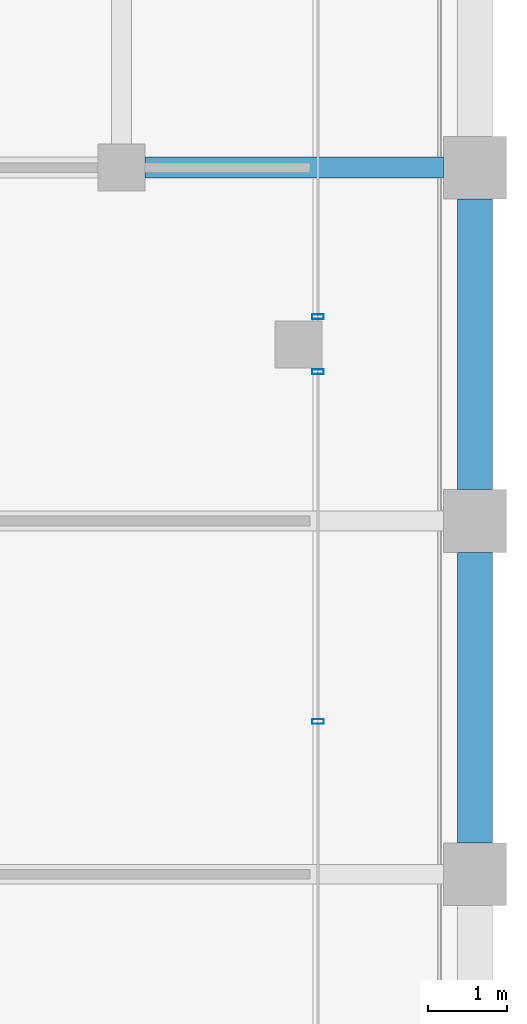
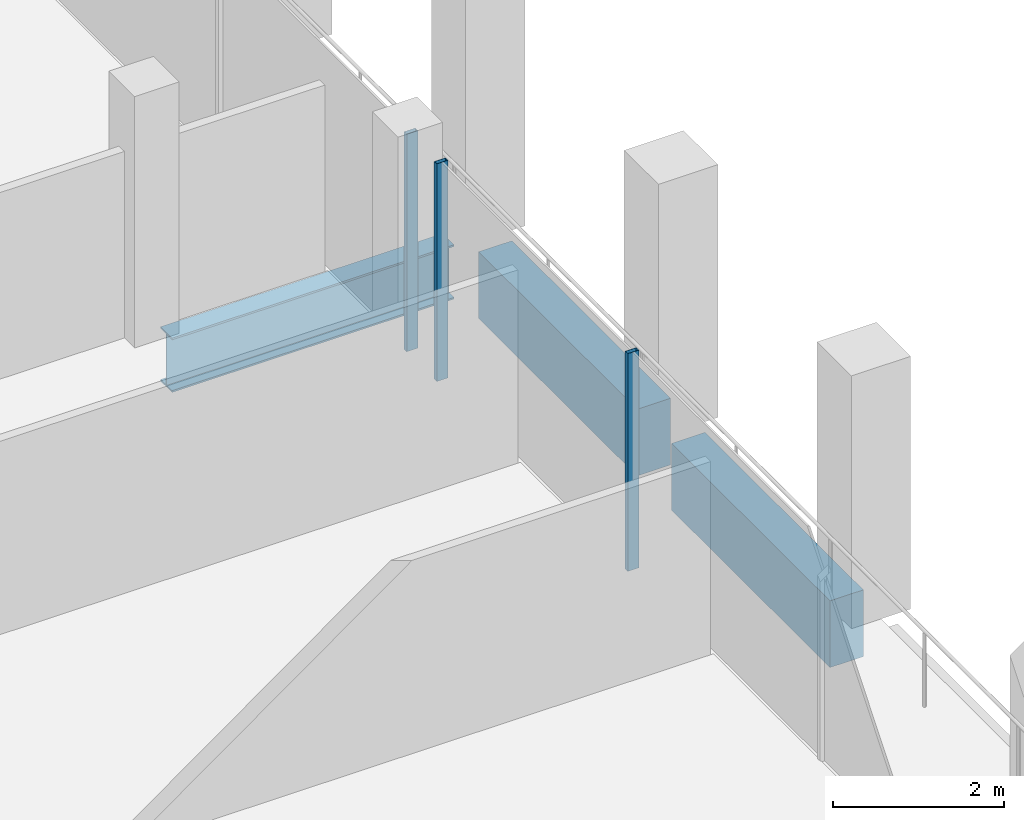
# One storey, part 19 of 30: 3 beams, 3 members, 2 elements without a shape of their own.
"""IFC4 building model written with IfcOpenShell, lengths in metres."""

from ifc_helpers import new_model, si_unit, direction, frame, origin, origin_2d, place, context, subcontext, project, spatial, rectangle, hollow_rectangle, i_section, extrude, material, material_profile, profile_set, type_object, element, aggregate, save


model = new_model("IFC4")

# Units and contexts
model_context = context("Model", 3, precision=1e-05, world=origin(), true_north=direction((0.0, 1.0)))
body_context = subcontext(model_context, "Body", "Model", "MODEL_VIEW")
ifc_project = project(units=[si_unit("LENGTHUNIT", "METRE"), si_unit("AREAUNIT", "SQUARE_METRE"), si_unit("VOLUMEUNIT", "CUBIC_METRE"), si_unit("PLANEANGLEUNIT", "RADIAN"), si_unit("MASSUNIT", "GRAM", prefix="KILO")], contexts=[model_context])

# Site, building, storey
site_placement = place(None, origin())
site = spatial("IfcSite", under=ifc_project, at=site_placement, CompositionType="ELEMENT")
building_placement = place(site_placement, origin())
building = spatial("IfcBuilding", under=site, at=building_placement, Name="Altepetl Exchange Towers", CompositionType="ELEMENT")
storey_placement = place(building_placement, frame((0.0, 0.0, 213.60009765625)))
storey = spatial("IfcBuildingStorey", under=building, at=storey_placement, Name="L54", CompositionType="ELEMENT", Elevation=213.60009765625)

# Beam
ifc_material_1 = material(Name="Steel S355", Category="steel")
ifc_material_profile_1 = material_profile(ifc_material_1, i_section(OverallWidth=0.26806640625, OverallDepth=0.77392578125, WebThickness=0.015380859375, FlangeThickness=0.025390625, at=origin_2d()), Name="W30X132")
ifc_profile_set_1 = profile_set([ifc_material_profile_1], Name="Steel S355")
beam_type_1 = type_object("IfcBeamType", Name="Girder W30X132", PredefinedType="BEAM", material=ifc_profile_set_1)
beam_placement = place(storey_placement, frame((67.800048828125, 58.5, -0.537109375), z_axis=(1.0, 0.0, 0.0), x_axis=(0.0, 1.0, 0.0)))
element("IfcBeam", 1, at=beam_placement, inside=storey, type_object=beam_type_1, Name="gd:A:L54:002", PredefinedType="BEAM", context=body_context, shape_type="SweptSolid", body=[
    extrude(i_section(OverallWidth=0.26806640625, OverallDepth=0.77392578125, WebThickness=0.015380859375, FlangeThickness=0.025390625, at=origin_2d()), origin(), (0.0, 0.0, 1.0), 3.800048828125),
])

# Curtain wall, members
ifc_material_2 = material(Name="Aluminium 6063-T6 glazing", Category="aluminium")
curtain_wall_type = type_object("IfcCurtainWallType", Name="Loggia glazing system", PredefinedType="NOTDEFINED", material=ifc_material_2)
curtain_wall_1_placement = place(storey_placement, origin())
curtain_wall_1 = element("IfcCurtainWall", 2, at=curtain_wall_1_placement, inside=storey, type_object=curtain_wall_type, Name="CW1 run", PredefinedType="NOTDEFINED")
ifc_material_3 = material(Name="Aluminium 6063-T6", Category="aluminium")
ifc_material_profile_2 = material_profile(ifc_material_3, hollow_rectangle(XDim=0.06005859375, YDim=0.14990234375, WallThickness=0.0029296875, at=origin_2d()), Name="Mullion 60x150 aluminium")
ifc_profile_set_2 = profile_set([ifc_material_profile_2], Name="Aluminium 6063-T6")
member_type = type_object("IfcMemberType", Name="Mullion 60x150 aluminium", PredefinedType="MULLION", material=ifc_profile_set_2)
member_1_placement = place(storey_placement, frame((70.0, 51.444091796875, 0.0), z_axis=(0.0, 0.0, 1.0), x_axis=(0.0, 1.0, 0.0)))
member_1 = element("IfcMember", 3, at=member_1_placement, type_object=member_type, Name="MU1 mullion", PredefinedType="MULLION", context=body_context, shape_type="SweptSolid", body=[
    extrude(hollow_rectangle(XDim=0.06005859375, YDim=0.14990234375, WallThickness=0.0029296875, at=origin_2d()), origin(), (0.0, 0.0, 1.0), 3.099853515625),
])
member_2_placement = place(storey_placement, frame((70.0, 55.89990234375, 0.0), z_axis=(0.0, 0.0, 1.0), x_axis=(0.0, 1.0, 0.0)))
member_2 = element("IfcMember", 4, at=member_2_placement, type_object=member_type, Name="MU1 mullion", PredefinedType="MULLION", context=body_context, shape_type="SweptSolid", body=[
    extrude(hollow_rectangle(XDim=0.06005859375, YDim=0.14990234375, WallThickness=0.0029296875, at=origin_2d()), origin(), (0.0, 0.0, 1.0), 3.099853515625),
])
aggregate(curtain_wall_1, [member_1, member_2])

# Curtain wall, member
curtain_wall_2_placement = place(storey_placement, origin())
curtain_wall_2 = element("IfcCurtainWall", 5, at=curtain_wall_2_placement, inside=storey, type_object=curtain_wall_type, Name="CW1 run", PredefinedType="NOTDEFINED")
member_3_placement = place(storey_placement, frame((70.0, 56.60009765625, 0.0), z_axis=(0.0, 0.0, 1.0), x_axis=(0.0, 1.0, 0.0)))
member_3 = element("IfcMember", 6, at=member_3_placement, type_object=member_type, Name="MU1 mullion", PredefinedType="MULLION", context=body_context, shape_type="SweptSolid", body=[
    extrude(hollow_rectangle(XDim=0.06005859375, YDim=0.14990234375, WallThickness=0.0029296875, at=origin_2d()), origin(), (0.0, 0.0, 1.0), 3.099853515625),
])
aggregate(curtain_wall_2, [member_3])

# Beams
ifc_material_4 = material(Name="Concrete C50/60 precast with cantera amarilla facing", Category="concrete")
ifc_material_profile_3 = material_profile(ifc_material_4, rectangle(XDim=0.449951171875, YDim=0.949951171875, at=origin_2d()), Name="450 x 950")
ifc_profile_set_3 = profile_set([ifc_material_profile_3], Name="Concrete C50/60 precast with cantera amarilla facing")
beam_type_2 = type_object("IfcBeamType", Name="Spandrel beam 450x950 cantera amarilla", PredefinedType="SPANDREL", material=ifc_profile_set_3)
for number, where, z_axis, x_axis, name in (
    (7, (72.0, 49.89990234375, -0.625), (0.0, 1.0, 0.0), (-1.0, 0.0, 0.0), "sp:A:L54:016"),
    (8, (72.0, 54.39990234375, -0.625), (0.0, 1.0, 0.0), (-1.0, 0.0, 0.0), "sp:A:L54:017"),
):
    element("IfcBeam", number, at=place(storey_placement, frame(where, z_axis=z_axis, x_axis=x_axis)), inside=storey, type_object=beam_type_2, Name=name, PredefinedType="SPANDREL", context=body_context, shape_type="SweptSolid", body=[
        extrude(rectangle(XDim=0.449951171875, YDim=0.949951171875, at=origin_2d()), origin(), (0.0, 0.0, 1.0), 3.7001953125),
    ])

save(model, "model.ifc")
